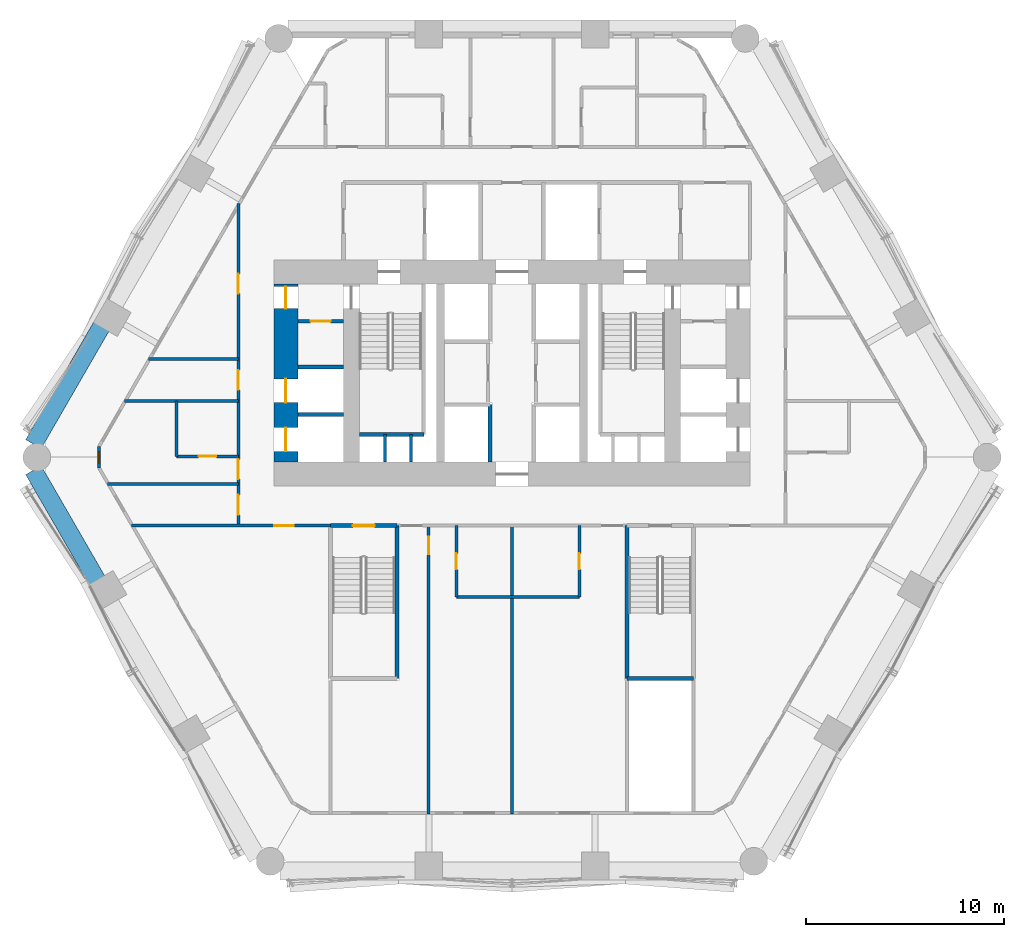
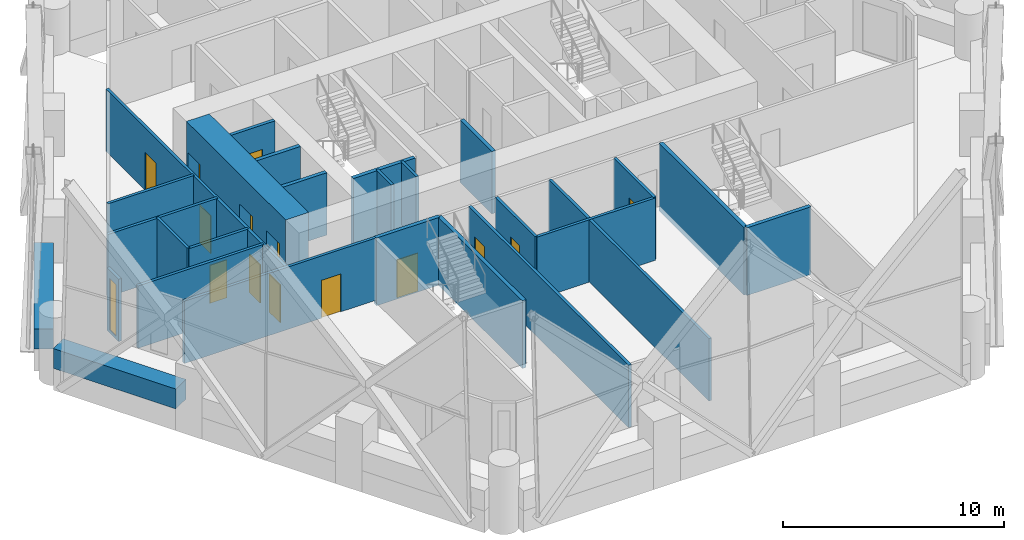
# One storey, part 11 of 22: 27 walls, 14 doors, 1 window, 15 openings.
"""IFC4 building model written with IfcOpenShell, lengths in metres."""

from ifc_helpers import new_model, si_unit, direction, frame, frame_2d, origin, place, context, subcontext, project, spatial, rectangle, extrude, material, layer, layer_set, type_object, element, fill, save


model = new_model("IFC4")

# Units and contexts
model_context = context("Model", 3, precision=1e-05, world=origin(), true_north=direction((0.0, 1.0)))
body_context = subcontext(model_context, "Body", "Model", "MODEL_VIEW")
ifc_project = project(units=[si_unit("LENGTHUNIT", "METRE"), si_unit("AREAUNIT", "SQUARE_METRE"), si_unit("VOLUMEUNIT", "CUBIC_METRE"), si_unit("PLANEANGLEUNIT", "RADIAN"), si_unit("MASSUNIT", "GRAM", prefix="KILO")], contexts=[model_context])

# Site, building, storey
site_placement = place(None, origin())
site = spatial("IfcSite", under=ifc_project, at=site_placement, CompositionType="ELEMENT")
building_placement = place(site_placement, origin())
building = spatial("IfcBuilding", under=site, at=building_placement, Name="Ostrander Bayou Hotel Tower", CompositionType="ELEMENT")
storey_placement = place(building_placement, frame((0.0, 0.0, 46.75)))
storey = spatial("IfcBuildingStorey", under=building, at=storey_placement, Name="L11", CompositionType="ELEMENT", Elevation=46.75)

# Wall, openings, doors
ifc_material_1 = material(Name="Concrete f'c 70 MPa", Category="concrete")
ifc_layer_1 = layer(ifc_material_1, 1.199951171875)
ifc_layer_set_1 = layer_set([ifc_layer_1], Name="CW1 core wall 1200 mm f'c 70 MPa")
wall_type_1 = type_object("IfcWallType", Name="CW1 core wall 1200 mm f'c 70 MPa", PredefinedType="SHEAR", material=ifc_layer_set_1)
wall_1_placement = place(storey_placement, frame((-11.39990234375, -0.5, -0.300048828125), z_axis=(0.0, 0.0, 1.0), x_axis=(0.0, 1.0, 0.0)))
wall_1 = element("IfcWall", 1, at=wall_1_placement, inside=storey, type_object=wall_type_1, Name="CW1 L11 RW", PredefinedType="SHEAR", context=body_context, shape_type="SweptSolid", body=[
    extrude(rectangle(XDim=9.0, YDim=1.199951171875, at=frame_2d((4.5, 0.0))), origin(), (0.0, 0.0, 1.0), 3.75),
])
opening_1_placement = place(wall_1_placement, frame((7.75, 0.0, 0.0)))
opening_1 = element("IfcOpeningElement", 2, at=opening_1_placement, cuts=wall_1, Name="Opening T09-017", PredefinedType="OPENING", context=body_context, shape_type="SweptSolid", body=[
    extrude(rectangle(XDim=1.10009765625, YDim=2.10009765625, at=frame_2d((0.550048828125, 1.050048828125))), frame((0.0, 0.60009765625, 0.0), z_axis=(0.0, -1.0, 0.0), x_axis=(1.0, 0.0, 0.0)), (0.0, 0.0, 1.0), 1.199951171875),
])
opening_2_placement = place(wall_1_placement, frame((0.550048828125, 0.0, 0.0)))
opening_2 = element("IfcOpeningElement", 3, at=opening_2_placement, cuts=wall_1, Name="Opening T09-018", PredefinedType="OPENING", context=body_context, shape_type="SweptSolid", body=[
    extrude(rectangle(XDim=1.199951171875, YDim=2.10009765625, at=frame_2d((0.60009765625, 1.050048828125))), frame((0.0, 0.60009765625, 0.0), z_axis=(0.0, -1.0, 0.0), x_axis=(1.0, 0.0, 0.0)), (0.0, 0.0, 1.0), 1.199951171875),
])
opening_3_placement = place(wall_1_placement, frame((3.0, 0.0, 0.0)))
opening_3 = element("IfcOpeningElement", 4, at=opening_3_placement, cuts=wall_1, Name="Opening T09-019", PredefinedType="OPENING", context=body_context, shape_type="SweptSolid", body=[
    extrude(rectangle(XDim=1.199951171875, YDim=2.10009765625, at=frame_2d((0.60009765625, 1.050048828125))), frame((0.0, 0.60009765625, 0.0), z_axis=(0.0, -1.0, 0.0), x_axis=(1.0, 0.0, 0.0)), (0.0, 0.0, 1.0), 1.199951171875),
])
ifc_material_2 = material(Name="Timber door leaf", Category="wood")
door_type_1 = type_object("IfcDoorType", Name="D5 stair door 1100 x 2100 mm, 90 minute", OperationType="SINGLE_SWING_LEFT", PredefinedType="DOOR", material=ifc_material_2)
door_1_placement = place(opening_1_placement, origin())
door_1 = element("IfcDoor", 5, at=door_1_placement, inside=storey, type_object=door_type_1, Name="dr:L11:017", OperationType="SINGLE_SWING_LEFT", OverallHeight=2.10009765625, OverallWidth=1.10009765625, PredefinedType="DOOR", context=body_context, shape_type="SweptSolid", body=[
    extrude(rectangle(XDim=1.10009765625, YDim=2.10009765625, at=frame_2d((0.550048828125, 1.050048828125))), frame((0.0, 0.02490234375, 0.0), z_axis=(0.0, -1.0, 0.0), x_axis=(1.0, 0.0, 0.0)), (0.0, 0.0, 1.0), 0.050048828125),
])
fill(opening_1, door_1)
ifc_material_3 = material(Name="Stainless steel sliding door", Category="steel")
door_type_2 = type_object("IfcDoorType", Name="LD1 lift landing door 1200 x 2100 mm", OperationType="SINGLE_SWING_LEFT", PredefinedType="DOOR", material=ifc_material_3)
door_2_placement = place(opening_2_placement, origin())
door_2 = element("IfcDoor", 6, at=door_2_placement, inside=storey, type_object=door_type_2, Name="dr:L11:018", OperationType="SLIDING_TO_LEFT", OverallHeight=2.10009765625, OverallWidth=1.199951171875, PredefinedType="DOOR", context=body_context, shape_type="SweptSolid", body=[
    extrude(rectangle(XDim=1.199951171875, YDim=2.10009765625, at=frame_2d((0.60009765625, 1.050048828125))), frame((0.0, 0.02490234375, 0.0), z_axis=(0.0, -1.0, 0.0), x_axis=(1.0, 0.0, 0.0)), (0.0, 0.0, 1.0), 0.050048828125),
])
fill(opening_2, door_2)
door_3_placement = place(opening_3_placement, origin())
door_3 = element("IfcDoor", 7, at=door_3_placement, inside=storey, type_object=door_type_2, Name="dr:L11:019", OperationType="SLIDING_TO_LEFT", OverallHeight=2.10009765625, OverallWidth=1.199951171875, PredefinedType="DOOR", context=body_context, shape_type="SweptSolid", body=[
    extrude(rectangle(XDim=1.199951171875, YDim=2.10009765625, at=frame_2d((0.60009765625, 1.050048828125))), frame((0.0, 0.02490234375, 0.0), z_axis=(0.0, -1.0, 0.0), x_axis=(1.0, 0.0, 0.0)), (0.0, 0.0, 1.0), 0.050048828125),
])
fill(opening_3, door_3)

# Wall, opening, window
ifc_material_4 = material(Name="Aluminium framed insulated wall", Category="aluminium")
ifc_layer_2 = layer(ifc_material_4, 0.14990234375)
ifc_layer_set_2 = layer_set([ifc_layer_2], Name="GW1 glass-line wall 150 mm")
wall_type_2 = type_object("IfcWallType", Name="GW1 glass-line wall 150 mm", PredefinedType="SOLIDWALL", material=ifc_layer_set_2)
wall_2_placement = place(storey_placement, frame((-20.826171875, 0.287109375, 0.0), z_axis=(0.0, 0.0, 1.0), x_axis=(0.0, -1.0, 0.0)))
wall_2 = element("IfcWall", 8, at=wall_2_placement, inside=storey, type_object=wall_type_2, Name="GW1 L11 corner 2", PredefinedType="SOLIDWALL", context=body_context, shape_type="SweptSolid", body=[
    extrude(rectangle(XDim=1.065185546875, YDim=0.14990234375, at=frame_2d((0.53271484375, 0.0))), origin(), (0.0, 0.0, 1.0), 3.449951171875),
])
opening_4_placement = place(wall_2_placement, frame((0.257568359375, 0.0, 0.14990234375)))
opening_4 = element("IfcOpeningElement", 9, at=opening_4_placement, cuts=wall_2, Name="Opening W19", PredefinedType="OPENING", context=body_context, shape_type="SweptSolid", body=[
    extrude(rectangle(XDim=0.550048828125, YDim=2.85009765625, at=frame_2d((0.27490234375, 1.425048828125))), frame((0.0, 0.074951171875, 0.0), z_axis=(0.0, -1.0, 0.0), x_axis=(1.0, 0.0, 0.0)), (0.0, 0.0, 1.0), 0.14990234375),
])
ifc_material_5 = material(Name="Aluminium and clear glass", Category="aluminium")
window_type = type_object("IfcWindowType", Name="W19 corner window 550 mm", PartitioningType="SINGLE_PANEL", PredefinedType="WINDOW", material=ifc_material_5)
window_placement = place(opening_4_placement, origin())
window = element("IfcWindow", 10, at=window_placement, inside=storey, type_object=window_type, Name="W19 L11 corner 2", OverallHeight=2.85009765625, OverallWidth=0.550048828125, PartitioningType="SINGLE_PANEL", PredefinedType="WINDOW", context=body_context, shape_type="SweptSolid", body=[
    extrude(rectangle(XDim=0.550048828125, YDim=2.85009765625, at=frame_2d((0.27490234375, 1.425048828125))), frame((0.0, 0.030029296875, 0.0), z_axis=(0.0, -1.0, 0.0), x_axis=(1.0, 0.0, 0.0)), (0.0, 0.0, 1.0), 0.06005859375),
])
fill(opening_4, window)

# Walls
ifc_material_6 = material(Name="Concrete f'c 40 MPa", Category="concrete")
ifc_layer_3 = layer(ifc_material_6, 0.89990234375)
ifc_layer_set_3 = layer_set([ifc_layer_3], Name="PA1 stone-faced parapet 900 mm")
wall_type_3 = type_object("IfcWallType", Name="PA1 stone-faced parapet 900 mm", PredefinedType="PARAPET", material=ifc_layer_set_3)
wall_3_placement = place(storey_placement, frame((-20.709716796875, 6.338623046875, 0.0), z_axis=(0.0, 0.0, 1.0), x_axis=(-0.499994135611, -0.866028789565, 0.0)))
element("IfcWall", 11, at=wall_3_placement, inside=storey, type_object=wall_type_3, Name="PA1 L11 NW-3", PredefinedType="PARAPET", context=body_context, shape_type="SweptSolid", body=[
    extrude(rectangle(XDim=6.84521484375, YDim=0.89990234375, at=frame_2d((3.422607421875, 0.0))), origin(), (0.0, 0.0, 1.0), 1.10009765625),
])
ifc_material_7 = material(Name="Limestone masonry", Category="masonry")
ifc_layer_4 = layer(ifc_material_7, 0.89990234375)
ifc_layer_set_4 = layer_set([ifc_layer_4], Name="PA2 limestone parapet 900 mm")
wall_type_4 = type_object("IfcWallType", Name="PA2 limestone parapet 900 mm", PredefinedType="PARAPET", material=ifc_layer_set_4)
wall_4_placement = place(storey_placement, frame((-24.13232421875, -0.9013671875, 0.0), z_axis=(0.0, 0.0, 1.0), x_axis=(0.499983599745, -0.866034872269, 0.0)))
element("IfcWall", 12, at=wall_4_placement, inside=storey, type_object=wall_type_4, Name="PA2 L11 SW-1", PredefinedType="PARAPET", context=body_context, shape_type="SweptSolid", body=[
    extrude(rectangle(XDim=6.420166015625, YDim=0.89990234375, at=frame_2d((3.2099609375, 0.0))), origin(), (0.0, 0.0, 1.0), 1.10009765625),
])

# Wall, opening, door
ifc_material_8 = material(Name="Gypsum board partition", Category="finish")
ifc_layer_5 = layer(ifc_material_8, 0.175048828125)
ifc_layer_set_5 = layer_set([ifc_layer_5], Name="PT4 corridor wall 175 mm, 1 hour")
wall_type_5 = type_object("IfcWallType", Name="PT4 corridor wall 175 mm, 1 hour", PredefinedType="PARTITIONING", material=ifc_layer_set_5)
wall_5_placement = place(storey_placement, frame((-10.800048828125, 6.614013671875, 0.0), z_axis=(0.0, 0.0, 1.0), x_axis=(1.0, 0.0, 0.0)))
wall_5 = element("IfcWall", 13, at=wall_5_placement, inside=storey, type_object=wall_type_5, Name="cs:L11:038", PredefinedType="PARTITIONING", context=body_context, shape_type="SweptSolid", body=[
    extrude(rectangle(XDim=2.300048828125, YDim=0.175048828125, at=frame_2d((1.14990234375, 0.0))), origin(), (0.0, 0.0, 1.0), 3.449951171875),
])
opening_5_placement = place(wall_5_placement, frame((0.64990234375, 0.0, 0.0)))
opening_5 = element("IfcOpeningElement", 14, at=opening_5_placement, cuts=wall_5, Name="Opening T09-016", PredefinedType="OPENING", context=body_context, shape_type="SweptSolid", body=[
    extrude(rectangle(XDim=1.0, YDim=2.10009765625, at=frame_2d((0.5, 1.050048828125))), frame((0.0, 0.08740234375, 0.0), z_axis=(0.0, -1.0, 0.0), x_axis=(1.0, 0.0, 0.0)), (0.0, 0.0, 1.0), 0.175048828125),
])
ifc_material_9 = material(Name="Timber door leaf", Category="wood")
door_type_3 = type_object("IfcDoorType", Name="D4 corridor door 1000 x 2100 mm, 1 hour", OperationType="SINGLE_SWING_LEFT", PredefinedType="DOOR", material=ifc_material_9)
door_4_placement = place(opening_5_placement, origin())
door_4 = element("IfcDoor", 15, at=door_4_placement, inside=storey, type_object=door_type_3, Name="dr:L11:016", OperationType="SINGLE_SWING_LEFT", OverallHeight=2.10009765625, OverallWidth=1.0, PredefinedType="DOOR", context=body_context, shape_type="SweptSolid", body=[
    extrude(rectangle(XDim=1.0, YDim=2.10009765625, at=frame_2d((0.5, 1.050048828125))), frame((0.0, 0.02490234375, 0.0), z_axis=(0.0, -1.0, 0.0), x_axis=(1.0, 0.0, 0.0)), (0.0, 0.0, 1.0), 0.050048828125),
])
fill(opening_5, door_4)

# Walls
ifc_material_10 = material(Name="Masonry block", Category="masonry")
ifc_layer_6 = layer(ifc_material_10, 0.199951171875)
ifc_layer_set_6 = layer_set([ifc_layer_6], Name="PT6 lift shaft wall 200 mm masonry, 2 hour")
wall_type_6 = type_object("IfcWallType", Name="PT6 lift shaft wall 200 mm masonry, 2 hour", PredefinedType="PARTITIONING", material=ifc_layer_set_6)
wall_6_placement = place(storey_placement, frame((-1.10009765625, -0.5, 0.0), z_axis=(0.0, 0.0, 1.0), x_axis=(0.0, 1.0, 0.0)))
element("IfcWall", 16, at=wall_6_placement, inside=storey, type_object=wall_type_6, Name="cs:L11:005", PredefinedType="PARTITIONING", context=body_context, shape_type="SweptSolid", body=[
    extrude(rectangle(XDim=2.89990234375, YDim=0.199951171875, at=frame_2d((1.449951171875, 0.0))), origin(), (0.0, 0.0, 1.0), 3.449951171875),
])
for number, where, z_axis, x_axis, name in (
    (17, (-10.800048828125, 1.89990234375, 0.0), (0.0, 0.0, 1.0), (1.0, 0.0, 0.0), "cs:L11:036"),
    (18, (-10.800048828125, 4.300048828125, 0.0), (0.0, 0.0, 1.0), (1.0, 0.0, 0.0), "cs:L11:037"),
):
    element("IfcWall", number, at=place(storey_placement, frame(where, z_axis=z_axis, x_axis=x_axis)), inside=storey, type_object=wall_type_6, Name=name, PredefinedType="PARTITIONING", context=body_context, shape_type="SweptSolid", body=[
        extrude(rectangle(XDim=2.300048828125, YDim=0.199951171875, at=frame_2d((1.14990234375, 0.0))), origin(), (0.0, 0.0, 1.0), 3.449951171875),
    ])
ifc_material_11 = material(Name="Gypsum board partition", Category="finish")
ifc_layer_7 = layer(ifc_material_11, 0.14990234375)
ifc_layer_set_7 = layer_set([ifc_layer_7], Name="PT7 riser wall 150 mm, 2 hour")
wall_type_7 = type_object("IfcWallType", Name="PT7 riser wall 150 mm, 2 hour", PredefinedType="PARTITIONING", material=ifc_layer_set_7)
for number, where, z_axis, x_axis, name in (
    (19, (-6.39990234375, -0.5, 0.0), (0.0, 0.0, 1.0), (0.0, 1.0, 0.0), "cs:L11:011"),
    (20, (-5.10009765625, -0.5, 0.0), (0.0, 0.0, 1.0), (0.0, 1.0, 0.0), "cs:L11:012"),
):
    element("IfcWall", number, at=place(storey_placement, frame(where, z_axis=z_axis, x_axis=x_axis)), inside=storey, type_object=wall_type_7, Name=name, PredefinedType="PARTITIONING", context=body_context, shape_type="SweptSolid", body=[
        extrude(rectangle(XDim=1.39990234375, YDim=0.14990234375, at=frame_2d((0.699951171875, 0.0))), origin(), (0.0, 0.0, 1.0), 3.449951171875),
    ])
ifc_material_12 = material(Name="Gypsum board partition", Category="finish")
ifc_layer_8 = layer(ifc_material_12, 0.14990234375)
ifc_layer_set_8 = layer_set([ifc_layer_8], Name="PT8 service band wall 150 mm, 1 hour")
wall_type_8 = type_object("IfcWallType", Name="PT8 service band wall 150 mm, 1 hour", PredefinedType="PARTITIONING", material=ifc_layer_set_8)
wall_7_placement = place(storey_placement, frame((-2.800048828125, -7.300048828125, 0.0), z_axis=(0.0, 0.0, 1.0), x_axis=(1.0, 0.0, 0.0)))
element("IfcWall", 21, at=wall_7_placement, inside=storey, type_object=wall_type_8, Name="gw:L11:001", PredefinedType="PARTITIONING", context=body_context, shape_type="SweptSolid", body=[
    extrude(rectangle(XDim=6.199951171875, YDim=0.14990234375, at=frame_2d((3.10009765625, 0.0))), origin(), (0.0, 0.0, 1.0), 3.449951171875),
])

# Wall, opening, door
wall_8_placement = place(storey_placement, frame((-19.19091796875, -3.699951171875, 0.0), z_axis=(0.0, 0.0, 1.0), x_axis=(1.0, 0.0, 0.0)))
wall_8 = element("IfcWall", 22, at=wall_8_placement, inside=storey, type_object=wall_type_8, Name="gw:L11:002", PredefinedType="PARTITIONING", context=body_context, shape_type="SweptSolid", body=[
    extrude(rectangle(XDim=10.031005859375, YDim=0.14990234375, at=frame_2d((5.015625, 0.0))), origin(), (0.0, 0.0, 1.0), 3.449951171875),
])
opening_6_placement = place(wall_8_placement, frame((7.19091796875, 0.0, 0.0)))
opening_6 = element("IfcOpeningElement", 23, at=opening_6_placement, cuts=wall_8, Name="Opening T09-403", PredefinedType="OPENING", context=body_context, shape_type="SweptSolid", body=[
    extrude(rectangle(XDim=1.0, YDim=2.10009765625, at=frame_2d((0.5, 1.050048828125))), frame((0.0, 0.074951171875, 0.0), z_axis=(0.0, -1.0, 0.0), x_axis=(1.0, 0.0, 0.0)), (0.0, 0.0, 1.0), 0.14990234375),
])
ifc_material_13 = material(Name="Timber door leaf", Category="wood")
door_type_4 = type_object("IfcDoorType", Name="D15 room door 1000 x 2100 mm", OperationType="SINGLE_SWING_LEFT", PredefinedType="DOOR", material=ifc_material_13)
door_5_placement = place(opening_6_placement, origin())
door_5 = element("IfcDoor", 24, at=door_5_placement, inside=storey, type_object=door_type_4, Name="dr:L11:403", OperationType="SINGLE_SWING_RIGHT", OverallHeight=2.10009765625, OverallWidth=1.0, PredefinedType="DOOR", context=body_context, shape_type="SweptSolid", body=[
    extrude(rectangle(XDim=1.0, YDim=2.10009765625, at=frame_2d((0.5, 1.050048828125))), frame((0.0, 0.02490234375, 0.0), z_axis=(0.0, -1.0, 0.0), x_axis=(1.0, 0.0, 0.0)), (0.0, 0.0, 1.0), 0.050048828125),
])
fill(opening_6, door_5)

# Wall
wall_9_placement = place(storey_placement, frame((-20.404052734375, -1.60009765625, 0.0), z_axis=(0.0, 0.0, 1.0), x_axis=(1.0, 0.0, 0.0)))
element("IfcWall", 25, at=wall_9_placement, inside=storey, type_object=wall_type_8, Name="gw:L11:005", PredefinedType="PARTITIONING", context=body_context, shape_type="SweptSolid", body=[
    extrude(rectangle(XDim=6.60400390625, YDim=0.14990234375, at=frame_2d((3.302001953125, 0.0))), origin(), (0.0, 0.0, 1.0), 3.449951171875),
])

# Wall, opening, door
wall_10_placement = place(storey_placement, frame((-16.9150390625, -0.199951171875, 0.0), z_axis=(0.0, 0.0, 1.0), x_axis=(1.0, 0.0, 0.0)))
wall_10 = element("IfcWall", 26, at=wall_10_placement, inside=storey, type_object=wall_type_8, Name="gw:L11:006", PredefinedType="PARTITIONING", context=body_context, shape_type="SweptSolid", body=[
    extrude(rectangle(XDim=3.114990234375, YDim=0.14990234375, at=frame_2d((1.5576171875, 0.0))), origin(), (0.0, 0.0, 1.0), 3.449951171875),
])
opening_7_placement = place(wall_10_placement, frame((1.10693359375, 0.0, 0.0)))
opening_7 = element("IfcOpeningElement", 27, at=opening_7_placement, cuts=wall_10, Name="Opening T09-409", PredefinedType="OPENING", context=body_context, shape_type="SweptSolid", body=[
    extrude(rectangle(XDim=0.89990234375, YDim=2.10009765625, at=frame_2d((0.449951171875, 1.050048828125))), frame((0.0, 0.074951171875, 0.0), z_axis=(0.0, -1.0, 0.0), x_axis=(1.0, 0.0, 0.0)), (0.0, 0.0, 1.0), 0.14990234375),
])
ifc_material_14 = material(Name="Timber door leaf", Category="wood")
door_type_5 = type_object("IfcDoorType", Name="D14 bathroom door 900 x 2100 mm", OperationType="SINGLE_SWING_LEFT", PredefinedType="DOOR", material=ifc_material_14)
door_6_placement = place(opening_7_placement, origin())
door_6 = element("IfcDoor", 28, at=door_6_placement, inside=storey, type_object=door_type_5, Name="dr:L11:409", OperationType="SINGLE_SWING_RIGHT", OverallHeight=2.10009765625, OverallWidth=0.89990234375, PredefinedType="DOOR", context=body_context, shape_type="SweptSolid", body=[
    extrude(rectangle(XDim=0.89990234375, YDim=2.10009765625, at=frame_2d((0.449951171875, 1.050048828125))), frame((0.0, 0.02490234375, 0.0), z_axis=(0.0, -1.0, 0.0), x_axis=(1.0, 0.0, 0.0)), (0.0, 0.0, 1.0), 0.050048828125),
])
fill(opening_7, door_6)

# Walls
wall_11_placement = place(storey_placement, frame((-19.54296875, 2.60009765625, 0.0), z_axis=(0.0, 0.0, 1.0), x_axis=(1.0, 0.0, 0.0)))
element("IfcWall", 29, at=wall_11_placement, inside=storey, type_object=wall_type_8, Name="gw:L11:008", PredefinedType="PARTITIONING", context=body_context, shape_type="SweptSolid", body=[
    extrude(rectangle(XDim=5.742919921875, YDim=0.14990234375, at=frame_2d((2.87158203125, 0.0))), origin(), (0.0, 0.0, 1.0), 3.449951171875),
])
wall_12_placement = place(storey_placement, frame((-18.330078125, 4.699951171875, 0.0), z_axis=(0.0, 0.0, 1.0), x_axis=(1.0, 0.0, 0.0)))
element("IfcWall", 30, at=wall_12_placement, inside=storey, type_object=wall_type_8, Name="gw:L11:010", PredefinedType="PARTITIONING", context=body_context, shape_type="SweptSolid", body=[
    extrude(rectangle(XDim=4.530029296875, YDim=0.14990234375, at=frame_2d((2.26513671875, 0.0))), origin(), (0.0, 0.0, 1.0), 3.449951171875),
])

# Wall, opening, door
wall_13_placement = place(storey_placement, frame((3.39990234375, -7.300048828125, 0.0), z_axis=(0.0, 0.0, 1.0), x_axis=(0.0, 1.0, 0.0)))
wall_13 = element("IfcWall", 31, at=wall_13_placement, inside=storey, type_object=wall_type_8, Name="gw:L11:026", PredefinedType="PARTITIONING", context=body_context, shape_type="SweptSolid", body=[
    extrude(rectangle(XDim=3.60009765625, YDim=0.14990234375, at=frame_2d((1.800048828125, 0.0))), origin(), (0.0, 0.0, 1.0), 3.449951171875),
])
opening_8_placement = place(wall_13_placement, frame((1.39990234375, 0.0, 0.0)))
opening_8 = element("IfcOpeningElement", 32, at=opening_8_placement, cuts=wall_13, Name="Opening T09-405", PredefinedType="OPENING", context=body_context, shape_type="SweptSolid", body=[
    extrude(rectangle(XDim=0.800048828125, YDim=2.10009765625, at=frame_2d((0.39990234375, 1.050048828125))), frame((0.0, 0.074951171875, 0.0), z_axis=(0.0, -1.0, 0.0), x_axis=(1.0, 0.0, 0.0)), (0.0, 0.0, 1.0), 0.14990234375),
])
ifc_material_15 = material(Name="Timber door leaf", Category="wood")
door_type_6 = type_object("IfcDoorType", Name="D2 bathroom door 800 x 2100 mm", OperationType="SINGLE_SWING_LEFT", PredefinedType="DOOR", material=ifc_material_15)
door_7_placement = place(opening_8_placement, origin())
door_7 = element("IfcDoor", 33, at=door_7_placement, inside=storey, type_object=door_type_6, Name="dr:L11:405", OperationType="SINGLE_SWING_RIGHT", OverallHeight=2.10009765625, OverallWidth=0.800048828125, PredefinedType="DOOR", context=body_context, shape_type="SweptSolid", body=[
    extrude(rectangle(XDim=0.800048828125, YDim=2.10009765625, at=frame_2d((0.39990234375, 1.050048828125))), frame((0.0, 0.02490234375, 0.0), z_axis=(0.0, -1.0, 0.0), x_axis=(1.0, 0.0, 0.0)), (0.0, 0.0, 1.0), 0.050048828125),
])
fill(opening_8, door_7)

# Wall
wall_14_placement = place(storey_placement, frame((0.0, -18.22509765625, 0.0), z_axis=(0.0, 0.0, 1.0), x_axis=(0.0, 1.0, 0.0)))
element("IfcWall", 34, at=wall_14_placement, inside=storey, type_object=wall_type_8, Name="gw:L11:028", PredefinedType="PARTITIONING", context=body_context, shape_type="SweptSolid", body=[
    extrude(rectangle(XDim=14.525146484375, YDim=0.14990234375, at=frame_2d((7.2626953125, 0.0))), origin(), (0.0, 0.0, 1.0), 3.449951171875),
])

# Wall, opening, door
wall_15_placement = place(storey_placement, frame((-2.800048828125, -7.300048828125, 0.0), z_axis=(0.0, 0.0, 1.0), x_axis=(0.0, 1.0, 0.0)))
wall_15 = element("IfcWall", 35, at=wall_15_placement, inside=storey, type_object=wall_type_8, Name="gw:L11:030", PredefinedType="PARTITIONING", context=body_context, shape_type="SweptSolid", body=[
    extrude(rectangle(XDim=3.60009765625, YDim=0.14990234375, at=frame_2d((1.800048828125, 0.0))), origin(), (0.0, 0.0, 1.0), 3.449951171875),
])
opening_9_placement = place(wall_15_placement, frame((1.39990234375, 0.0, 0.0)))
opening_9 = element("IfcOpeningElement", 36, at=opening_9_placement, cuts=wall_15, Name="Opening T09-402", PredefinedType="OPENING", context=body_context, shape_type="SweptSolid", body=[
    extrude(rectangle(XDim=0.800048828125, YDim=2.10009765625, at=frame_2d((0.39990234375, 1.050048828125))), frame((0.0, 0.074951171875, 0.0), z_axis=(0.0, -1.0, 0.0), x_axis=(1.0, 0.0, 0.0)), (0.0, 0.0, 1.0), 0.14990234375),
])
door_8_placement = place(opening_9_placement, origin())
door_8 = element("IfcDoor", 37, at=door_8_placement, inside=storey, type_object=door_type_6, Name="dr:L11:402", OperationType="SINGLE_SWING_RIGHT", OverallHeight=2.10009765625, OverallWidth=0.800048828125, PredefinedType="DOOR", context=body_context, shape_type="SweptSolid", body=[
    extrude(rectangle(XDim=0.800048828125, YDim=2.10009765625, at=frame_2d((0.39990234375, 1.050048828125))), frame((0.0, 0.02490234375, 0.0), z_axis=(0.0, -1.0, 0.0), x_axis=(1.0, 0.0, 0.0)), (0.0, 0.0, 1.0), 0.050048828125),
])
fill(opening_9, door_8)

wall_16_placement = place(storey_placement, frame((-4.199951171875, -18.22509765625, 0.0), z_axis=(0.0, 0.0, 1.0), x_axis=(0.0, 1.0, 0.0)))
wall_16 = element("IfcWall", 38, at=wall_16_placement, inside=storey, type_object=wall_type_8, Name="gw:L11:032", PredefinedType="PARTITIONING", context=body_context, shape_type="SweptSolid", body=[
    extrude(rectangle(XDim=14.525146484375, YDim=0.14990234375, at=frame_2d((7.2626953125, 0.0))), origin(), (0.0, 0.0, 1.0), 3.449951171875),
])
opening_10_placement = place(wall_16_placement, frame((13.074951171875, 0.0, 0.0)))
opening_10 = element("IfcOpeningElement", 39, at=opening_10_placement, cuts=wall_16, Name="Opening T09-401", PredefinedType="OPENING", context=body_context, shape_type="SweptSolid", body=[
    extrude(rectangle(XDim=0.89990234375, YDim=2.10009765625, at=frame_2d((0.449951171875, 1.050048828125))), frame((0.0, 0.074951171875, 0.0), z_axis=(0.0, -1.0, 0.0), x_axis=(1.0, 0.0, 0.0)), (0.0, 0.0, 1.0), 0.14990234375),
])
ifc_material_16 = material(Name="Timber door leaf", Category="wood")
door_type_7 = type_object("IfcDoorType", Name="D8 room door 900 x 2100 mm", OperationType="SINGLE_SWING_LEFT", PredefinedType="DOOR", material=ifc_material_16)
door_9_placement = place(opening_10_placement, origin())
door_9 = element("IfcDoor", 40, at=door_9_placement, inside=storey, type_object=door_type_7, Name="dr:L11:401", OperationType="SINGLE_SWING_RIGHT", OverallHeight=2.10009765625, OverallWidth=0.89990234375, PredefinedType="DOOR", context=body_context, shape_type="SweptSolid", body=[
    extrude(rectangle(XDim=0.89990234375, YDim=2.10009765625, at=frame_2d((0.449951171875, 1.050048828125))), frame((0.0, 0.02490234375, 0.0), z_axis=(0.0, -1.0, 0.0), x_axis=(1.0, 0.0, 0.0)), (0.0, 0.0, 1.0), 0.050048828125),
])
fill(opening_10, door_9)

# Wall, openings, doors
wall_17_placement = place(storey_placement, frame((-13.800048828125, -3.699951171875, 0.0), z_axis=(0.0, 0.0, 1.0), x_axis=(0.0, 1.0, 0.0)))
wall_17 = element("IfcWall", 41, at=wall_17_placement, inside=storey, type_object=wall_type_8, Name="gw:L11:036", PredefinedType="PARTITIONING", context=body_context, shape_type="SweptSolid", body=[
    extrude(rectangle(XDim=16.2470703125, YDim=0.14990234375, at=frame_2d((8.12353515625, 0.0))), origin(), (0.0, 0.0, 1.0), 3.449951171875),
])
opening_11_placement = place(wall_17_placement, frame((0.550048828125, 0.0, 0.0)))
opening_11 = element("IfcOpeningElement", 42, at=opening_11_placement, cuts=wall_17, Name="Opening T09-407", PredefinedType="OPENING", context=body_context, shape_type="SweptSolid", body=[
    extrude(rectangle(XDim=1.0, YDim=2.10009765625, at=frame_2d((0.5, 1.050048828125))), frame((0.0, 0.074951171875, 0.0), z_axis=(0.0, -1.0, 0.0), x_axis=(1.0, 0.0, 0.0)), (0.0, 0.0, 1.0), 0.14990234375),
])
opening_12_placement = place(wall_17_placement, frame((2.35009765625, 0.0, 0.0)))
opening_12 = element("IfcOpeningElement", 43, at=opening_12_placement, cuts=wall_17, Name="Opening T09-408", PredefinedType="OPENING", context=body_context, shape_type="SweptSolid", body=[
    extrude(rectangle(XDim=1.0, YDim=2.10009765625, at=frame_2d((0.5, 1.050048828125))), frame((0.0, 0.074951171875, 0.0), z_axis=(0.0, -1.0, 0.0), x_axis=(1.0, 0.0, 0.0)), (0.0, 0.0, 1.0), 0.14990234375),
])
opening_13_placement = place(wall_17_placement, frame((6.85009765625, 0.0, 0.0)))
opening_13 = element("IfcOpeningElement", 44, at=opening_13_placement, cuts=wall_17, Name="Opening T09-410", PredefinedType="OPENING", context=body_context, shape_type="SweptSolid", body=[
    extrude(rectangle(XDim=1.0, YDim=2.10009765625, at=frame_2d((0.5, 1.050048828125))), frame((0.0, 0.074951171875, 0.0), z_axis=(0.0, -1.0, 0.0), x_axis=(1.0, 0.0, 0.0)), (0.0, 0.0, 1.0), 0.14990234375),
])
opening_14_placement = place(wall_17_placement, frame((11.702880859375, 0.0, 0.0)))
opening_14 = element("IfcOpeningElement", 45, at=opening_14_placement, cuts=wall_17, Name="Opening T09-411", PredefinedType="OPENING", context=body_context, shape_type="SweptSolid", body=[
    extrude(rectangle(XDim=1.0, YDim=2.10009765625, at=frame_2d((0.5, 1.050048828125))), frame((0.0, 0.074951171875, 0.0), z_axis=(0.0, -1.0, 0.0), x_axis=(1.0, 0.0, 0.0)), (0.0, 0.0, 1.0), 0.14990234375),
])
ifc_material_17 = material(Name="Timber door leaf", Category="wood")
door_type_8 = type_object("IfcDoorType", Name="D1 guest room door 1000 x 2100 mm, 30 minute", OperationType="SINGLE_SWING_LEFT", PredefinedType="DOOR", material=ifc_material_17)
door_10_placement = place(opening_12_placement, origin())
door_10 = element("IfcDoor", 46, at=door_10_placement, inside=storey, type_object=door_type_8, Name="dr:L11:408", OperationType="SINGLE_SWING_LEFT", OverallHeight=2.10009765625, OverallWidth=1.0, PredefinedType="DOOR", context=body_context, shape_type="SweptSolid", body=[
    extrude(rectangle(XDim=1.0, YDim=2.10009765625, at=frame_2d((0.5, 1.050048828125))), frame((0.0, 0.02490234375, 0.0), z_axis=(0.0, -1.0, 0.0), x_axis=(1.0, 0.0, 0.0)), (0.0, 0.0, 1.0), 0.050048828125),
])
fill(opening_12, door_10)
ifc_material_18 = material(Name="Timber door leaf", Category="wood")
door_type_9 = type_object("IfcDoorType", Name="D9 service door 1000 x 2100 mm, 30 minute", OperationType="SINGLE_SWING_LEFT", PredefinedType="DOOR", material=ifc_material_18)
door_11_placement = place(opening_11_placement, origin())
door_11 = element("IfcDoor", 47, at=door_11_placement, inside=storey, type_object=door_type_9, Name="dr:L11:407", OperationType="SINGLE_SWING_LEFT", OverallHeight=2.10009765625, OverallWidth=1.0, PredefinedType="DOOR", context=body_context, shape_type="SweptSolid", body=[
    extrude(rectangle(XDim=1.0, YDim=2.10009765625, at=frame_2d((0.5, 1.050048828125))), frame((0.0, 0.02490234375, 0.0), z_axis=(0.0, -1.0, 0.0), x_axis=(1.0, 0.0, 0.0)), (0.0, 0.0, 1.0), 0.050048828125),
])
fill(opening_11, door_11)
door_12_placement = place(opening_13_placement, origin())
door_12 = element("IfcDoor", 48, at=door_12_placement, inside=storey, type_object=door_type_9, Name="dr:L11:410", OperationType="SINGLE_SWING_LEFT", OverallHeight=2.10009765625, OverallWidth=1.0, PredefinedType="DOOR", context=body_context, shape_type="SweptSolid", body=[
    extrude(rectangle(XDim=1.0, YDim=2.10009765625, at=frame_2d((0.5, 1.050048828125))), frame((0.0, 0.02490234375, 0.0), z_axis=(0.0, -1.0, 0.0), x_axis=(1.0, 0.0, 0.0)), (0.0, 0.0, 1.0), 0.050048828125),
])
fill(opening_13, door_12)
door_13_placement = place(opening_14_placement, origin())
door_13 = element("IfcDoor", 49, at=door_13_placement, inside=storey, type_object=door_type_9, Name="dr:L11:411", OperationType="SINGLE_SWING_LEFT", OverallHeight=2.10009765625, OverallWidth=1.0, PredefinedType="DOOR", context=body_context, shape_type="SweptSolid", body=[
    extrude(rectangle(XDim=1.0, YDim=2.10009765625, at=frame_2d((0.5, 1.050048828125))), frame((0.0, 0.02490234375, 0.0), z_axis=(0.0, -1.0, 0.0), x_axis=(1.0, 0.0, 0.0)), (0.0, 0.0, 1.0), 0.050048828125),
])
fill(opening_14, door_13)

# Walls
wall_18_placement = place(storey_placement, frame((-16.9150390625, -0.199951171875, 0.0), z_axis=(0.0, 0.0, 1.0), x_axis=(0.0, 1.0, 0.0)))
element("IfcWall", 50, at=wall_18_placement, inside=storey, type_object=wall_type_8, Name="gw:L11:037", PredefinedType="PARTITIONING", context=body_context, shape_type="SweptSolid", body=[
    extrude(rectangle(XDim=2.800048828125, YDim=0.14990234375, at=frame_2d((1.39990234375, 0.0))), origin(), (0.0, 0.0, 1.0), 3.449951171875),
])
ifc_material_19 = material(Name="Concrete f'c 45 MPa", Category="concrete")
ifc_layer_9 = layer(ifc_material_19, 0.199951171875)
ifc_layer_set_9 = layer_set([ifc_layer_9], Name="SW5 stair enclosure wall 200 mm f'c 45 MPa")
wall_type_9 = type_object("IfcWallType", Name="SW5 stair enclosure wall 200 mm f'c 45 MPa", PredefinedType="SOLIDWALL", material=ifc_layer_set_9)
wall_19_placement = place(storey_placement, frame((-7.699951171875, 0.89990234375, -0.300048828125), z_axis=(0.0, 0.0, 1.0), x_axis=(1.0, 0.0, 0.0)))
element("IfcWall", 51, at=wall_19_placement, inside=storey, type_object=wall_type_9, Name="cs:L11:010", PredefinedType="SOLIDWALL", context=body_context, shape_type="SweptSolid", body=[
    extrude(rectangle(XDim=3.25, YDim=0.199951171875, at=frame_2d((1.625, 0.0))), origin(), (0.0, 0.0, 1.0), 3.75),
])
wall_20_placement = place(storey_placement, frame((5.800048828125, -3.699951171875, -0.300048828125), z_axis=(0.0, 0.0, 1.0), x_axis=(0.0, -1.0, 0.0)))
element("IfcWall", 52, at=wall_20_placement, inside=storey, type_object=wall_type_9, Name="cs:L11:018", PredefinedType="SOLIDWALL", context=body_context, shape_type="SweptSolid", body=[
    extrude(rectangle(XDim=7.699951171875, YDim=0.199951171875, at=frame_2d((3.85009765625, 0.0))), origin(), (0.0, 0.0, 1.0), 3.75),
])
wall_21_placement = place(storey_placement, frame((5.800048828125, -11.39990234375, -0.300048828125), z_axis=(0.0, 0.0, 1.0), x_axis=(1.0, 0.0, 0.0)))
element("IfcWall", 53, at=wall_21_placement, inside=storey, type_object=wall_type_9, Name="cs:L11:020", PredefinedType="SOLIDWALL", context=body_context, shape_type="SweptSolid", body=[
    extrude(rectangle(XDim=3.349853515625, YDim=0.199951171875, at=frame_2d((1.6748046875, 0.0))), origin(), (0.0, 0.0, 1.0), 3.75),
])

# Wall, opening, door
wall_22_placement = place(storey_placement, frame((-9.14990234375, -3.699951171875, -0.300048828125), z_axis=(0.0, 0.0, 1.0), x_axis=(1.0, 0.0, 0.0)))
wall_22 = element("IfcWall", 54, at=wall_22_placement, inside=storey, type_object=wall_type_9, Name="cs:L11:023", PredefinedType="SOLIDWALL", context=body_context, shape_type="SweptSolid", body=[
    extrude(rectangle(XDim=3.349853515625, YDim=0.199951171875, at=frame_2d((1.6748046875, 0.0))), origin(), (0.0, 0.0, 1.0), 3.75),
])
opening_15_placement = place(wall_22_placement, frame((1.125, 0.0, 0.0)))
opening_15 = element("IfcOpeningElement", 55, at=opening_15_placement, cuts=wall_22, Name="Opening T09-008", PredefinedType="OPENING", context=body_context, shape_type="SweptSolid", body=[
    extrude(rectangle(XDim=1.10009765625, YDim=2.10009765625, at=frame_2d((0.550048828125, 1.050048828125))), frame((0.0, 0.10009765625, 0.0), z_axis=(0.0, -1.0, 0.0), x_axis=(1.0, 0.0, 0.0)), (0.0, 0.0, 1.0), 0.199951171875),
])
door_14_placement = place(opening_15_placement, origin())
door_14 = element("IfcDoor", 56, at=door_14_placement, inside=storey, type_object=door_type_1, Name="dr:L11:008", OperationType="SINGLE_SWING_LEFT", OverallHeight=2.10009765625, OverallWidth=1.10009765625, PredefinedType="DOOR", context=body_context, shape_type="SweptSolid", body=[
    extrude(rectangle(XDim=1.10009765625, YDim=2.10009765625, at=frame_2d((0.550048828125, 1.050048828125))), frame((0.0, 0.02490234375, 0.0), z_axis=(0.0, -1.0, 0.0), x_axis=(1.0, 0.0, 0.0)), (0.0, 0.0, 1.0), 0.050048828125),
])
fill(opening_15, door_14)

# Wall
wall_23_placement = place(storey_placement, frame((-5.800048828125, -3.699951171875, -0.300048828125), z_axis=(0.0, 0.0, 1.0), x_axis=(0.0, -1.0, 0.0)))
element("IfcWall", 57, at=wall_23_placement, inside=storey, type_object=wall_type_9, Name="cs:L11:025", PredefinedType="SOLIDWALL", context=body_context, shape_type="SweptSolid", body=[
    extrude(rectangle(XDim=7.699951171875, YDim=0.199951171875, at=frame_2d((3.85009765625, 0.0))), origin(), (0.0, 0.0, 1.0), 3.75),
])

save(model, "model.ifc")
